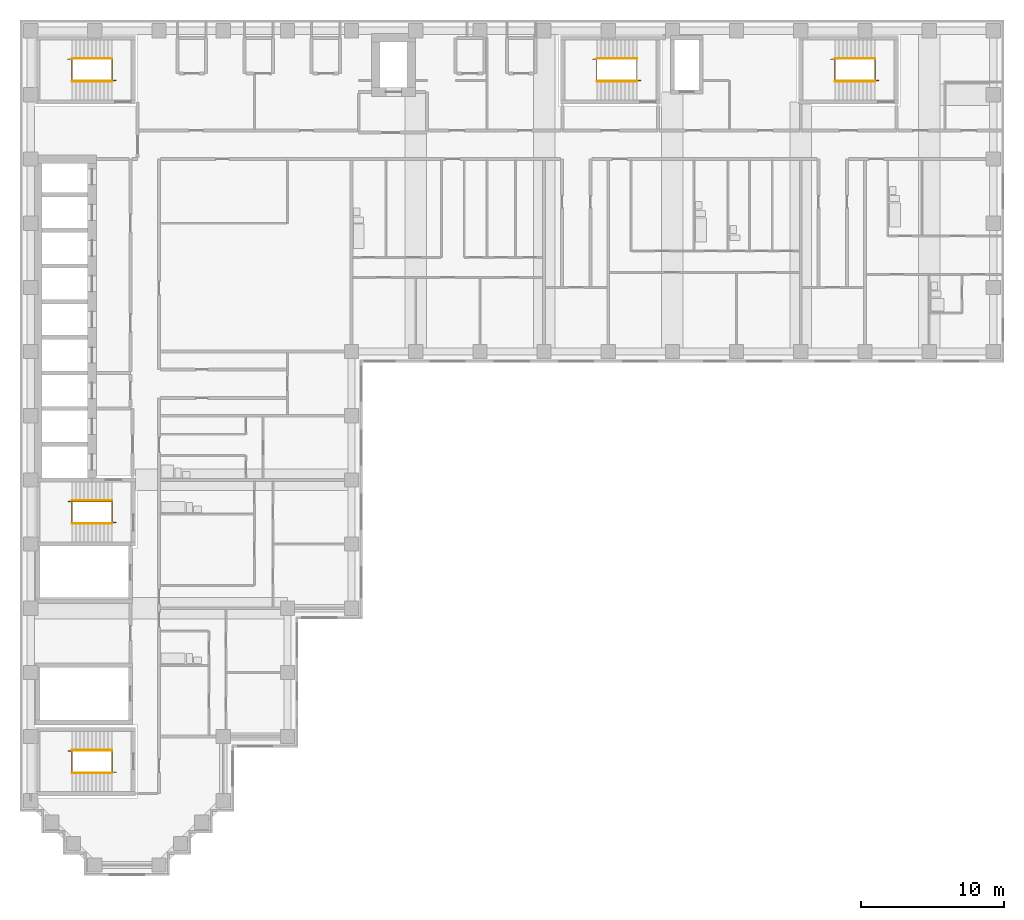
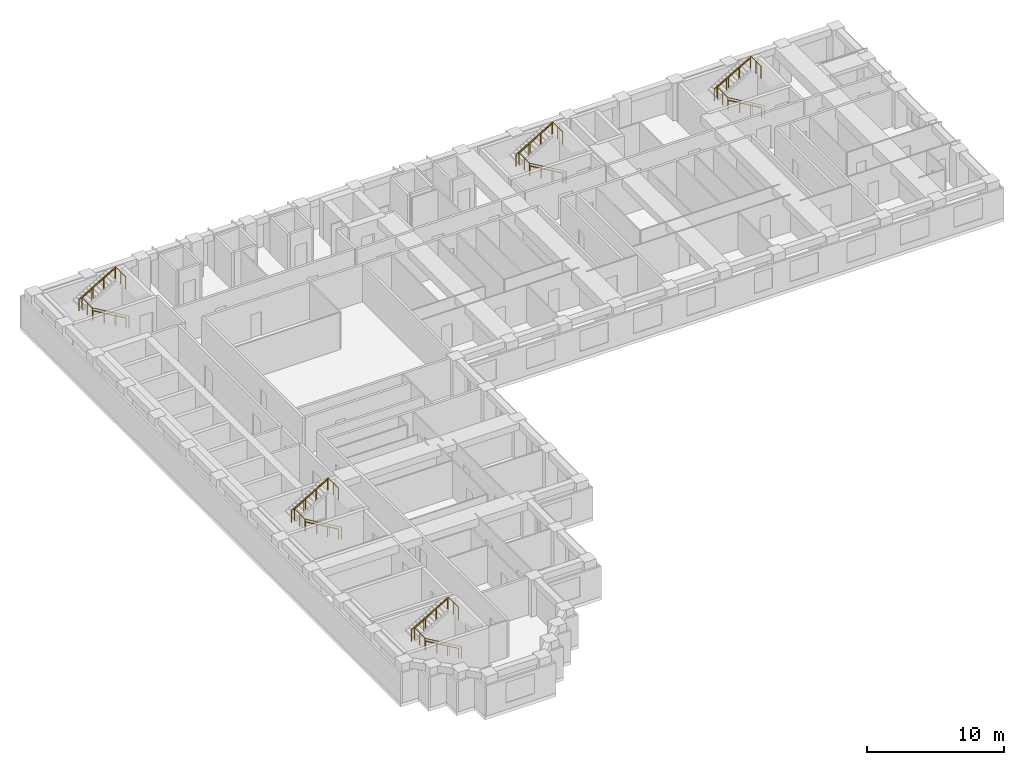
# One storey, part 10 of 11: 15 railings.
"""IFC4 building model written with IfcOpenShell, lengths in metres."""

from ifc_helpers import new_model, si_unit, direction, frame, origin, origin_2d, place, context, subcontext, project, spatial, circle, extrude, material, type_object, element, save


model = new_model("IFC4")

# Units and contexts
model_context = context("Model", 3, precision=1e-05, world=origin(), true_north=direction((0.0, 1.0)))
body_context = subcontext(model_context, "Body", "Model", "MODEL_VIEW")
ifc_project = project(units=[si_unit("LENGTHUNIT", "METRE"), si_unit("AREAUNIT", "SQUARE_METRE"), si_unit("VOLUMEUNIT", "CUBIC_METRE"), si_unit("PLANEANGLEUNIT", "RADIAN"), si_unit("MASSUNIT", "GRAM", prefix="KILO")], contexts=[model_context])

# Site, building, storey
site_placement = place(None, origin())
site = spatial("IfcSite", under=ifc_project, at=site_placement, CompositionType="ELEMENT")
building_placement = place(site_placement, origin())
building = spatial("IfcBuilding", under=site, at=building_placement, Name="Firuza Court", CompositionType="ELEMENT")
storey_placement = place(building_placement, frame((0.0, 0.0, 134.0)))
storey = spatial("IfcBuildingStorey", under=building, at=storey_placement, Name="L33", CompositionType="ELEMENT", Elevation=134.0)

# Railings
ifc_material_1 = material(Name="Steel S355", Category="steel")
railing_type_1 = type_object("IfcRailingType", Name="Handrail 900", PredefinedType="HANDRAIL", material=ifc_material_1)
railing_1_placement = place(storey_placement, frame((42.5, 54.949951171875, 0.16357421875)))
element("IfcRailing", 1, at=railing_1_placement, inside=storey, type_object=railing_type_1, Name="Handrail S1 flight 1", PredefinedType="HANDRAIL", context=body_context, shape_type="SweptSolid", body=[
    extrude(circle(Radius=0.02490234375, at=origin_2d()), frame((0.0, 0.0, 0.875), z_axis=(-0.863360870873, 0.0, 0.504586966384), x_axis=(0.0, -1.0, 0.0)), (0.0, 0.0, 1.0), 3.2431640625),
    extrude(circle(Radius=0.02001953125, at=origin_2d()), origin(), (0.0, 0.0, 1.0), 0.849853515625),
    extrude(circle(Radius=0.02001953125, at=origin_2d()), frame((-0.933349609375, 0.0, 0.54541015625)), (0.0, 0.0, 1.0), 0.849853515625),
    extrude(circle(Radius=0.02001953125, at=origin_2d()), frame((-1.86669921875, 0.0, 1.091064453125)), (0.0, 0.0, 1.0), 0.849853515625),
    extrude(circle(Radius=0.02001953125, at=origin_2d()), frame((-2.800048828125, 0.0, 1.636474609375)), (0.0, 0.0, 1.0), 0.849853515625),
])
railing_2_placement = place(storey_placement, frame((39.699951171875, 56.550048828125, 1.963623046875)))
element("IfcRailing", 2, at=railing_2_placement, inside=storey, type_object=railing_type_1, Name="Handrail S1 flight 2", PredefinedType="HANDRAIL", context=body_context, shape_type="SweptSolid", body=[
    extrude(circle(Radius=0.02490234375, at=origin_2d()), frame((0.0, 0.0, 0.875), z_axis=(0.863360870873, 0.0, 0.504586966384), x_axis=(0.0, 1.0, 0.0)), (0.0, 0.0, 1.0), 3.2431640625),
    extrude(circle(Radius=0.02001953125, at=origin_2d()), origin(), (0.0, 0.0, 1.0), 0.849853515625),
    extrude(circle(Radius=0.02001953125, at=origin_2d()), frame((0.933349609375, 0.0, 0.54541015625)), (0.0, 0.0, 1.0), 0.849853515625),
    extrude(circle(Radius=0.02001953125, at=origin_2d()), frame((1.86669921875, 0.0, 1.091064453125)), (0.0, 0.0, 1.0), 0.849853515625),
    extrude(circle(Radius=0.02001953125, at=origin_2d()), frame((2.800048828125, 0.0, 1.636474609375)), (0.0, 0.0, 1.0), 0.849853515625),
])
railing_3_placement = place(storey_placement, frame((5.699951171875, 23.949951171875, 0.16357421875)))
element("IfcRailing", 3, at=railing_3_placement, inside=storey, type_object=railing_type_1, Name="Handrail S2 flight 1", PredefinedType="HANDRAIL", context=body_context, shape_type="SweptSolid", body=[
    extrude(circle(Radius=0.02490234375, at=origin_2d()), frame((0.0, 0.0, 0.875), z_axis=(-0.863360870873, 0.0, 0.504586966384), x_axis=(0.0, -1.0, 0.0)), (0.0, 0.0, 1.0), 3.2431640625),
    extrude(circle(Radius=0.02001953125, at=origin_2d()), origin(), (0.0, 0.0, 1.0), 0.849853515625),
    extrude(circle(Radius=0.02001953125, at=origin_2d()), frame((-0.933349609375, 0.0, 0.54541015625)), (0.0, 0.0, 1.0), 0.849853515625),
    extrude(circle(Radius=0.02001953125, at=origin_2d()), frame((-1.86669921875, 0.0, 1.091064453125)), (0.0, 0.0, 1.0), 0.849853515625),
    extrude(circle(Radius=0.02001953125, at=origin_2d()), frame((-2.800048828125, 0.0, 1.636474609375)), (0.0, 0.0, 1.0), 0.849853515625),
])
railing_4_placement = place(storey_placement, frame((2.89990234375, 25.550048828125, 1.963623046875)))
element("IfcRailing", 4, at=railing_4_placement, inside=storey, type_object=railing_type_1, Name="Handrail S2 flight 2", PredefinedType="HANDRAIL", context=body_context, shape_type="SweptSolid", body=[
    extrude(circle(Radius=0.02490234375, at=origin_2d()), frame((0.0, 0.0, 0.875), z_axis=(0.863360870873, 0.0, 0.504586966384), x_axis=(0.0, 1.0, 0.0)), (0.0, 0.0, 1.0), 3.2431640625),
    extrude(circle(Radius=0.02001953125, at=origin_2d()), origin(), (0.0, 0.0, 1.0), 0.849853515625),
    extrude(circle(Radius=0.02001953125, at=origin_2d()), frame((0.933349609375, 0.0, 0.54541015625)), (0.0, 0.0, 1.0), 0.849853515625),
    extrude(circle(Radius=0.02001953125, at=origin_2d()), frame((1.86669921875, 0.0, 1.091064453125)), (0.0, 0.0, 1.0), 0.849853515625),
    extrude(circle(Radius=0.02001953125, at=origin_2d()), frame((2.800048828125, 0.0, 1.636474609375)), (0.0, 0.0, 1.0), 0.849853515625),
])
railing_5_placement = place(storey_placement, frame((5.699951171875, 54.949951171875, 0.16357421875)))
element("IfcRailing", 5, at=railing_5_placement, inside=storey, type_object=railing_type_1, Name="Handrail S3 flight 1", PredefinedType="HANDRAIL", context=body_context, shape_type="SweptSolid", body=[
    extrude(circle(Radius=0.02490234375, at=origin_2d()), frame((0.0, 0.0, 0.875), z_axis=(-0.863360870873, 0.0, 0.504586966384), x_axis=(0.0, -1.0, 0.0)), (0.0, 0.0, 1.0), 3.2431640625),
    extrude(circle(Radius=0.02001953125, at=origin_2d()), origin(), (0.0, 0.0, 1.0), 0.849853515625),
    extrude(circle(Radius=0.02001953125, at=origin_2d()), frame((-0.933349609375, 0.0, 0.54541015625)), (0.0, 0.0, 1.0), 0.849853515625),
    extrude(circle(Radius=0.02001953125, at=origin_2d()), frame((-1.86669921875, 0.0, 1.091064453125)), (0.0, 0.0, 1.0), 0.849853515625),
    extrude(circle(Radius=0.02001953125, at=origin_2d()), frame((-2.800048828125, 0.0, 1.636474609375)), (0.0, 0.0, 1.0), 0.849853515625),
])
railing_6_placement = place(storey_placement, frame((2.89990234375, 56.550048828125, 1.963623046875)))
element("IfcRailing", 6, at=railing_6_placement, inside=storey, type_object=railing_type_1, Name="Handrail S3 flight 2", PredefinedType="HANDRAIL", context=body_context, shape_type="SweptSolid", body=[
    extrude(circle(Radius=0.02490234375, at=origin_2d()), frame((0.0, 0.0, 0.875), z_axis=(0.863360870873, 0.0, 0.504586966384), x_axis=(0.0, 1.0, 0.0)), (0.0, 0.0, 1.0), 3.2431640625),
    extrude(circle(Radius=0.02001953125, at=origin_2d()), origin(), (0.0, 0.0, 1.0), 0.849853515625),
    extrude(circle(Radius=0.02001953125, at=origin_2d()), frame((0.933349609375, 0.0, 0.54541015625)), (0.0, 0.0, 1.0), 0.849853515625),
    extrude(circle(Radius=0.02001953125, at=origin_2d()), frame((1.86669921875, 0.0, 1.091064453125)), (0.0, 0.0, 1.0), 0.849853515625),
    extrude(circle(Radius=0.02001953125, at=origin_2d()), frame((2.800048828125, 0.0, 1.636474609375)), (0.0, 0.0, 1.0), 0.849853515625),
])
railing_7_placement = place(storey_placement, frame((59.199951171875, 54.949951171875, 0.16357421875)))
element("IfcRailing", 7, at=railing_7_placement, inside=storey, type_object=railing_type_1, Name="Handrail S4 flight 1", PredefinedType="HANDRAIL", context=body_context, shape_type="SweptSolid", body=[
    extrude(circle(Radius=0.02490234375, at=origin_2d()), frame((0.0, 0.0, 0.875), z_axis=(-0.863360870873, 0.0, 0.504586966384), x_axis=(0.0, -1.0, 0.0)), (0.0, 0.0, 1.0), 3.2431640625),
    extrude(circle(Radius=0.02001953125, at=origin_2d()), origin(), (0.0, 0.0, 1.0), 0.849853515625),
    extrude(circle(Radius=0.02001953125, at=origin_2d()), frame((-0.933349609375, 0.0, 0.54541015625)), (0.0, 0.0, 1.0), 0.849853515625),
    extrude(circle(Radius=0.02001953125, at=origin_2d()), frame((-1.86669921875, 0.0, 1.091064453125)), (0.0, 0.0, 1.0), 0.849853515625),
    extrude(circle(Radius=0.02001953125, at=origin_2d()), frame((-2.800048828125, 0.0, 1.636474609375)), (0.0, 0.0, 1.0), 0.849853515625),
])
railing_8_placement = place(storey_placement, frame((56.39990234375, 56.550048828125, 1.963623046875)))
element("IfcRailing", 8, at=railing_8_placement, inside=storey, type_object=railing_type_1, Name="Handrail S4 flight 2", PredefinedType="HANDRAIL", context=body_context, shape_type="SweptSolid", body=[
    extrude(circle(Radius=0.02490234375, at=origin_2d()), frame((0.0, 0.0, 0.875), z_axis=(0.863360870873, 0.0, 0.504586966384), x_axis=(0.0, 1.0, 0.0)), (0.0, 0.0, 1.0), 3.2431640625),
    extrude(circle(Radius=0.02001953125, at=origin_2d()), origin(), (0.0, 0.0, 1.0), 0.849853515625),
    extrude(circle(Radius=0.02001953125, at=origin_2d()), frame((0.933349609375, 0.0, 0.54541015625)), (0.0, 0.0, 1.0), 0.849853515625),
    extrude(circle(Radius=0.02001953125, at=origin_2d()), frame((1.86669921875, 0.0, 1.091064453125)), (0.0, 0.0, 1.0), 0.849853515625),
    extrude(circle(Radius=0.02001953125, at=origin_2d()), frame((2.800048828125, 0.0, 1.636474609375)), (0.0, 0.0, 1.0), 0.849853515625),
])
railing_9_placement = place(storey_placement, frame((5.699951171875, 6.449951171875, 0.16357421875)))
element("IfcRailing", 9, at=railing_9_placement, inside=storey, type_object=railing_type_1, Name="Handrail S5 flight 1", PredefinedType="HANDRAIL", context=body_context, shape_type="SweptSolid", body=[
    extrude(circle(Radius=0.02490234375, at=origin_2d()), frame((0.0, 0.0, 0.875), z_axis=(-0.863360870873, 0.0, 0.504586966384), x_axis=(0.0, -1.0, 0.0)), (0.0, 0.0, 1.0), 3.2431640625),
    extrude(circle(Radius=0.02001953125, at=origin_2d()), origin(), (0.0, 0.0, 1.0), 0.849853515625),
    extrude(circle(Radius=0.02001953125, at=origin_2d()), frame((-0.933349609375, 0.0, 0.54541015625)), (0.0, 0.0, 1.0), 0.849853515625),
    extrude(circle(Radius=0.02001953125, at=origin_2d()), frame((-1.86669921875, 0.0, 1.091064453125)), (0.0, 0.0, 1.0), 0.849853515625),
    extrude(circle(Radius=0.02001953125, at=origin_2d()), frame((-2.800048828125, 0.0, 1.636474609375)), (0.0, 0.0, 1.0), 0.849853515625),
])
railing_10_placement = place(storey_placement, frame((2.89990234375, 8.050048828125, 1.963623046875)))
element("IfcRailing", 10, at=railing_10_placement, inside=storey, type_object=railing_type_1, Name="Handrail S5 flight 2", PredefinedType="HANDRAIL", context=body_context, shape_type="SweptSolid", body=[
    extrude(circle(Radius=0.02490234375, at=origin_2d()), frame((0.0, 0.0, 0.875), z_axis=(0.863360870873, 0.0, 0.504586966384), x_axis=(0.0, 1.0, 0.0)), (0.0, 0.0, 1.0), 3.2431640625),
    extrude(circle(Radius=0.02001953125, at=origin_2d()), origin(), (0.0, 0.0, 1.0), 0.849853515625),
    extrude(circle(Radius=0.02001953125, at=origin_2d()), frame((0.933349609375, 0.0, 0.54541015625)), (0.0, 0.0, 1.0), 0.849853515625),
    extrude(circle(Radius=0.02001953125, at=origin_2d()), frame((1.86669921875, 0.0, 1.091064453125)), (0.0, 0.0, 1.0), 0.849853515625),
    extrude(circle(Radius=0.02001953125, at=origin_2d()), frame((2.800048828125, 0.0, 1.636474609375)), (0.0, 0.0, 1.0), 0.849853515625),
])
ifc_material_2 = material(Name="Steel S355", Category="steel")
railing_type_2 = type_object("IfcRailingType", Name="Stair guard 1100", PredefinedType="GUARDRAIL", material=ifc_material_2)
railing_11_placement = place(storey_placement, frame((42.780029296875, 55.010009765625, 0.0)))
element("IfcRailing", 11, at=railing_11_placement, inside=storey, type_object=railing_type_2, Name="Stair well guard S1", PredefinedType="GUARDRAIL", context=body_context, shape_type="SweptSolid", body=[
    extrude(circle(Radius=0.02490234375, at=origin_2d()), frame((0.0, 0.0, 1.0751953125), z_axis=(-0.863371556955, 0.0, 0.504568681787), x_axis=(0.0, -1.0, 0.0)), (0.0, 0.0, 1.0), 3.5673828125),
    extrude(circle(Radius=0.02490234375, at=origin_2d()), frame((-3.080078125, 0.0, 2.875), z_axis=(0.0, 1.0, 0.0), x_axis=(-1.0, 0.0, 0.0)), (0.0, 0.0, 1.0), 1.47998046875),
    extrude(circle(Radius=0.02490234375, at=origin_2d()), frame((-3.080078125, 1.47998046875, 2.875), z_axis=(-1.0, 0.0, 0.0), x_axis=(0.0, -1.0, 0.0)), (0.0, 0.0, 1.0), 0.280029296875),
    extrude(circle(Radius=0.02490234375, at=origin_2d()), frame((-3.360107421875, 1.47998046875, 2.875), z_axis=(0.863371556955, 0.0, 0.504568681787), x_axis=(0.0, 1.0, 0.0)), (0.0, 0.0, 1.0), 3.5673828125),
    extrude(circle(Radius=0.02490234375, at=origin_2d()), frame((-0.280029296875, 1.47998046875, 4.67529296875), z_axis=(0.0, -1.0, 0.0), x_axis=(1.0, 0.0, 0.0)), (0.0, 0.0, 1.0), 1.47998046875),
    extrude(circle(Radius=0.02490234375, at=origin_2d()), origin(), (0.0, 0.0, 1.0), 1.050048828125),
    extrude(circle(Radius=0.02490234375, at=origin_2d()), frame((-1.026611328125, 0.0, 0.60009765625)), (0.0, 0.0, 1.0), 1.050048828125),
    extrude(circle(Radius=0.02490234375, at=origin_2d()), frame((-2.053466796875, 0.0, 1.199951171875)), (0.0, 0.0, 1.0), 1.050048828125),
    extrude(circle(Radius=0.02490234375, at=origin_2d()), frame((-3.080078125, 0.0, 1.800048828125)), (0.0, 0.0, 1.0), 1.050048828125),
    extrude(circle(Radius=0.02490234375, at=origin_2d()), frame((-3.080078125, 0.739990234375, 1.800048828125)), (0.0, 0.0, 1.0), 1.050048828125),
    extrude(circle(Radius=0.02490234375, at=origin_2d()), frame((-3.080078125, 1.47998046875, 1.800048828125)), (0.0, 0.0, 1.0), 1.050048828125),
    extrude(circle(Radius=0.02490234375, at=origin_2d()), frame((-3.360107421875, 1.47998046875, 1.800048828125)), (0.0, 0.0, 1.0), 1.050048828125),
    extrude(circle(Radius=0.02490234375, at=origin_2d()), frame((-2.33349609375, 1.47998046875, 2.400146484375)), (0.0, 0.0, 1.0), 1.050048828125),
    extrude(circle(Radius=0.02490234375, at=origin_2d()), frame((-1.306640625, 1.47998046875, 3.0)), (0.0, 0.0, 1.0), 1.050048828125),
    extrude(circle(Radius=0.02490234375, at=origin_2d()), frame((-0.280029296875, 1.47998046875, 3.60009765625)), (0.0, 0.0, 1.0), 1.050048828125),
    extrude(circle(Radius=0.02490234375, at=origin_2d()), frame((-0.280029296875, 0.739990234375, 3.60009765625)), (0.0, 0.0, 1.0), 1.050048828125),
    extrude(circle(Radius=0.02490234375, at=origin_2d()), frame((-0.280029296875, 0.0, 3.60009765625)), (0.0, 0.0, 1.0), 1.050048828125),
])
railing_12_placement = place(storey_placement, frame((5.97998046875, 24.010009765625, 0.0)))
element("IfcRailing", 12, at=railing_12_placement, inside=storey, type_object=railing_type_2, Name="Stair well guard S2", PredefinedType="GUARDRAIL", context=body_context, shape_type="SweptSolid", body=[
    extrude(circle(Radius=0.02490234375, at=origin_2d()), frame((0.0, 0.0, 1.0751953125), z_axis=(-0.863371556955, 0.0, 0.504568681787), x_axis=(0.0, -1.0, 0.0)), (0.0, 0.0, 1.0), 3.5673828125),
    extrude(circle(Radius=0.02490234375, at=origin_2d()), frame((-3.080078125, 0.0, 2.875), z_axis=(0.0, 1.0, 0.0), x_axis=(-1.0, 0.0, 0.0)), (0.0, 0.0, 1.0), 1.47998046875),
    extrude(circle(Radius=0.02490234375, at=origin_2d()), frame((-3.080078125, 1.47998046875, 2.875), z_axis=(-1.0, 0.0, 0.0), x_axis=(0.0, -1.0, 0.0)), (0.0, 0.0, 1.0), 0.27978515625),
    extrude(circle(Radius=0.02490234375, at=origin_2d()), frame((-3.35986328125, 1.47998046875, 2.875), z_axis=(0.863354132664, 0.0, 0.504598495452), x_axis=(0.0, 1.0, 0.0)), (0.0, 0.0, 1.0), 3.5673828125),
    extrude(circle(Radius=0.02490234375, at=origin_2d()), frame((-0.280029296875, 1.47998046875, 4.67529296875), z_axis=(0.0, -1.0, 0.0), x_axis=(1.0, 0.0, 0.0)), (0.0, 0.0, 1.0), 1.47998046875),
    extrude(circle(Radius=0.02490234375, at=origin_2d()), origin(), (0.0, 0.0, 1.0), 1.050048828125),
    extrude(circle(Radius=0.02490234375, at=origin_2d()), frame((-1.026611328125, 0.0, 0.60009765625)), (0.0, 0.0, 1.0), 1.050048828125),
    extrude(circle(Radius=0.02490234375, at=origin_2d()), frame((-2.053466796875, 0.0, 1.199951171875)), (0.0, 0.0, 1.0), 1.050048828125),
    extrude(circle(Radius=0.02490234375, at=origin_2d()), frame((-3.080078125, 0.0, 1.800048828125)), (0.0, 0.0, 1.0), 1.050048828125),
    extrude(circle(Radius=0.02490234375, at=origin_2d()), frame((-3.080078125, 0.739990234375, 1.800048828125)), (0.0, 0.0, 1.0), 1.050048828125),
    extrude(circle(Radius=0.02490234375, at=origin_2d()), frame((-3.080078125, 1.47998046875, 1.800048828125)), (0.0, 0.0, 1.0), 1.050048828125),
    extrude(circle(Radius=0.02490234375, at=origin_2d()), frame((-3.35986328125, 1.47998046875, 1.800048828125)), (0.0, 0.0, 1.0), 1.050048828125),
    extrude(circle(Radius=0.02490234375, at=origin_2d()), frame((-2.333251953125, 1.47998046875, 2.400146484375)), (0.0, 0.0, 1.0), 1.050048828125),
    extrude(circle(Radius=0.02490234375, at=origin_2d()), frame((-1.306640625, 1.47998046875, 3.0)), (0.0, 0.0, 1.0), 1.050048828125),
    extrude(circle(Radius=0.02490234375, at=origin_2d()), frame((-0.280029296875, 1.47998046875, 3.60009765625)), (0.0, 0.0, 1.0), 1.050048828125),
    extrude(circle(Radius=0.02490234375, at=origin_2d()), frame((-0.280029296875, 0.739990234375, 3.60009765625)), (0.0, 0.0, 1.0), 1.050048828125),
    extrude(circle(Radius=0.02490234375, at=origin_2d()), frame((-0.280029296875, 0.0, 3.60009765625)), (0.0, 0.0, 1.0), 1.050048828125),
])
railing_13_placement = place(storey_placement, frame((5.97998046875, 55.010009765625, 0.0)))
element("IfcRailing", 13, at=railing_13_placement, inside=storey, type_object=railing_type_2, Name="Stair well guard S3", PredefinedType="GUARDRAIL", context=body_context, shape_type="SweptSolid", body=[
    extrude(circle(Radius=0.02490234375, at=origin_2d()), frame((0.0, 0.0, 1.0751953125), z_axis=(-0.863371556955, 0.0, 0.504568681787), x_axis=(0.0, -1.0, 0.0)), (0.0, 0.0, 1.0), 3.5673828125),
    extrude(circle(Radius=0.02490234375, at=origin_2d()), frame((-3.080078125, 0.0, 2.875), z_axis=(0.0, 1.0, 0.0), x_axis=(-1.0, 0.0, 0.0)), (0.0, 0.0, 1.0), 1.47998046875),
    extrude(circle(Radius=0.02490234375, at=origin_2d()), frame((-3.080078125, 1.47998046875, 2.875), z_axis=(-1.0, 0.0, 0.0), x_axis=(0.0, -1.0, 0.0)), (0.0, 0.0, 1.0), 0.27978515625),
    extrude(circle(Radius=0.02490234375, at=origin_2d()), frame((-3.35986328125, 1.47998046875, 2.875), z_axis=(0.863354132664, 0.0, 0.504598495452), x_axis=(0.0, 1.0, 0.0)), (0.0, 0.0, 1.0), 3.5673828125),
    extrude(circle(Radius=0.02490234375, at=origin_2d()), frame((-0.280029296875, 1.47998046875, 4.67529296875), z_axis=(0.0, -1.0, 0.0), x_axis=(1.0, 0.0, 0.0)), (0.0, 0.0, 1.0), 1.47998046875),
    extrude(circle(Radius=0.02490234375, at=origin_2d()), origin(), (0.0, 0.0, 1.0), 1.050048828125),
    extrude(circle(Radius=0.02490234375, at=origin_2d()), frame((-1.026611328125, 0.0, 0.60009765625)), (0.0, 0.0, 1.0), 1.050048828125),
    extrude(circle(Radius=0.02490234375, at=origin_2d()), frame((-2.053466796875, 0.0, 1.199951171875)), (0.0, 0.0, 1.0), 1.050048828125),
    extrude(circle(Radius=0.02490234375, at=origin_2d()), frame((-3.080078125, 0.0, 1.800048828125)), (0.0, 0.0, 1.0), 1.050048828125),
    extrude(circle(Radius=0.02490234375, at=origin_2d()), frame((-3.080078125, 0.739990234375, 1.800048828125)), (0.0, 0.0, 1.0), 1.050048828125),
    extrude(circle(Radius=0.02490234375, at=origin_2d()), frame((-3.080078125, 1.47998046875, 1.800048828125)), (0.0, 0.0, 1.0), 1.050048828125),
    extrude(circle(Radius=0.02490234375, at=origin_2d()), frame((-3.35986328125, 1.47998046875, 1.800048828125)), (0.0, 0.0, 1.0), 1.050048828125),
    extrude(circle(Radius=0.02490234375, at=origin_2d()), frame((-2.333251953125, 1.47998046875, 2.400146484375)), (0.0, 0.0, 1.0), 1.050048828125),
    extrude(circle(Radius=0.02490234375, at=origin_2d()), frame((-1.306640625, 1.47998046875, 3.0)), (0.0, 0.0, 1.0), 1.050048828125),
    extrude(circle(Radius=0.02490234375, at=origin_2d()), frame((-0.280029296875, 1.47998046875, 3.60009765625)), (0.0, 0.0, 1.0), 1.050048828125),
    extrude(circle(Radius=0.02490234375, at=origin_2d()), frame((-0.280029296875, 0.739990234375, 3.60009765625)), (0.0, 0.0, 1.0), 1.050048828125),
    extrude(circle(Radius=0.02490234375, at=origin_2d()), frame((-0.280029296875, 0.0, 3.60009765625)), (0.0, 0.0, 1.0), 1.050048828125),
])
railing_14_placement = place(storey_placement, frame((59.47998046875, 55.010009765625, 0.0)))
element("IfcRailing", 14, at=railing_14_placement, inside=storey, type_object=railing_type_2, Name="Stair well guard S4", PredefinedType="GUARDRAIL", context=body_context, shape_type="SweptSolid", body=[
    extrude(circle(Radius=0.02490234375, at=origin_2d()), frame((0.0, 0.0, 1.0751953125), z_axis=(-0.863371556955, 0.0, 0.504568681787), x_axis=(0.0, -1.0, 0.0)), (0.0, 0.0, 1.0), 3.5673828125),
    extrude(circle(Radius=0.02490234375, at=origin_2d()), frame((-3.080078125, 0.0, 2.875), z_axis=(0.0, 1.0, 0.0), x_axis=(-1.0, 0.0, 0.0)), (0.0, 0.0, 1.0), 1.47998046875),
    extrude(circle(Radius=0.02490234375, at=origin_2d()), frame((-3.080078125, 1.47998046875, 2.875), z_axis=(-1.0, 0.0, 0.0), x_axis=(0.0, -1.0, 0.0)), (0.0, 0.0, 1.0), 0.27978515625),
    extrude(circle(Radius=0.02490234375, at=origin_2d()), frame((-3.35986328125, 1.47998046875, 2.875), z_axis=(0.863354132664, 0.0, 0.504598495452), x_axis=(0.0, 1.0, 0.0)), (0.0, 0.0, 1.0), 3.5673828125),
    extrude(circle(Radius=0.02490234375, at=origin_2d()), frame((-0.280029296875, 1.47998046875, 4.67529296875), z_axis=(0.0, -1.0, 0.0), x_axis=(1.0, 0.0, 0.0)), (0.0, 0.0, 1.0), 1.47998046875),
    extrude(circle(Radius=0.02490234375, at=origin_2d()), origin(), (0.0, 0.0, 1.0), 1.050048828125),
    extrude(circle(Radius=0.02490234375, at=origin_2d()), frame((-1.026611328125, 0.0, 0.60009765625)), (0.0, 0.0, 1.0), 1.050048828125),
    extrude(circle(Radius=0.02490234375, at=origin_2d()), frame((-2.053466796875, 0.0, 1.199951171875)), (0.0, 0.0, 1.0), 1.050048828125),
    extrude(circle(Radius=0.02490234375, at=origin_2d()), frame((-3.080078125, 0.0, 1.800048828125)), (0.0, 0.0, 1.0), 1.050048828125),
    extrude(circle(Radius=0.02490234375, at=origin_2d()), frame((-3.080078125, 0.739990234375, 1.800048828125)), (0.0, 0.0, 1.0), 1.050048828125),
    extrude(circle(Radius=0.02490234375, at=origin_2d()), frame((-3.080078125, 1.47998046875, 1.800048828125)), (0.0, 0.0, 1.0), 1.050048828125),
    extrude(circle(Radius=0.02490234375, at=origin_2d()), frame((-3.35986328125, 1.47998046875, 1.800048828125)), (0.0, 0.0, 1.0), 1.050048828125),
    extrude(circle(Radius=0.02490234375, at=origin_2d()), frame((-2.333251953125, 1.47998046875, 2.400146484375)), (0.0, 0.0, 1.0), 1.050048828125),
    extrude(circle(Radius=0.02490234375, at=origin_2d()), frame((-1.306640625, 1.47998046875, 3.0)), (0.0, 0.0, 1.0), 1.050048828125),
    extrude(circle(Radius=0.02490234375, at=origin_2d()), frame((-0.280029296875, 1.47998046875, 3.60009765625)), (0.0, 0.0, 1.0), 1.050048828125),
    extrude(circle(Radius=0.02490234375, at=origin_2d()), frame((-0.280029296875, 0.739990234375, 3.60009765625)), (0.0, 0.0, 1.0), 1.050048828125),
    extrude(circle(Radius=0.02490234375, at=origin_2d()), frame((-0.280029296875, 0.0, 3.60009765625)), (0.0, 0.0, 1.0), 1.050048828125),
])
railing_15_placement = place(storey_placement, frame((5.97998046875, 6.510009765625, 0.0)))
element("IfcRailing", 15, at=railing_15_placement, inside=storey, type_object=railing_type_2, Name="Stair well guard S5", PredefinedType="GUARDRAIL", context=body_context, shape_type="SweptSolid", body=[
    extrude(circle(Radius=0.02490234375, at=origin_2d()), frame((0.0, 0.0, 1.0751953125), z_axis=(-0.863371556955, 0.0, 0.504568681787), x_axis=(0.0, -1.0, 0.0)), (0.0, 0.0, 1.0), 3.5673828125),
    extrude(circle(Radius=0.02490234375, at=origin_2d()), frame((-3.080078125, 0.0, 2.875), z_axis=(0.0, 1.0, 0.0), x_axis=(-1.0, 0.0, 0.0)), (0.0, 0.0, 1.0), 1.47998046875),
    extrude(circle(Radius=0.02490234375, at=origin_2d()), frame((-3.080078125, 1.47998046875, 2.875), z_axis=(-1.0, 0.0, 0.0), x_axis=(0.0, -1.0, 0.0)), (0.0, 0.0, 1.0), 0.27978515625),
    extrude(circle(Radius=0.02490234375, at=origin_2d()), frame((-3.35986328125, 1.47998046875, 2.875), z_axis=(0.863354132664, 0.0, 0.504598495452), x_axis=(0.0, 1.0, 0.0)), (0.0, 0.0, 1.0), 3.5673828125),
    extrude(circle(Radius=0.02490234375, at=origin_2d()), frame((-0.280029296875, 1.47998046875, 4.67529296875), z_axis=(0.0, -1.0, 0.0), x_axis=(1.0, 0.0, 0.0)), (0.0, 0.0, 1.0), 1.47998046875),
    extrude(circle(Radius=0.02490234375, at=origin_2d()), origin(), (0.0, 0.0, 1.0), 1.050048828125),
    extrude(circle(Radius=0.02490234375, at=origin_2d()), frame((-1.026611328125, 0.0, 0.60009765625)), (0.0, 0.0, 1.0), 1.050048828125),
    extrude(circle(Radius=0.02490234375, at=origin_2d()), frame((-2.053466796875, 0.0, 1.199951171875)), (0.0, 0.0, 1.0), 1.050048828125),
    extrude(circle(Radius=0.02490234375, at=origin_2d()), frame((-3.080078125, 0.0, 1.800048828125)), (0.0, 0.0, 1.0), 1.050048828125),
    extrude(circle(Radius=0.02490234375, at=origin_2d()), frame((-3.080078125, 0.739990234375, 1.800048828125)), (0.0, 0.0, 1.0), 1.050048828125),
    extrude(circle(Radius=0.02490234375, at=origin_2d()), frame((-3.080078125, 1.47998046875, 1.800048828125)), (0.0, 0.0, 1.0), 1.050048828125),
    extrude(circle(Radius=0.02490234375, at=origin_2d()), frame((-3.35986328125, 1.47998046875, 1.800048828125)), (0.0, 0.0, 1.0), 1.050048828125),
    extrude(circle(Radius=0.02490234375, at=origin_2d()), frame((-2.333251953125, 1.47998046875, 2.400146484375)), (0.0, 0.0, 1.0), 1.050048828125),
    extrude(circle(Radius=0.02490234375, at=origin_2d()), frame((-1.306640625, 1.47998046875, 3.0)), (0.0, 0.0, 1.0), 1.050048828125),
    extrude(circle(Radius=0.02490234375, at=origin_2d()), frame((-0.280029296875, 1.47998046875, 3.60009765625)), (0.0, 0.0, 1.0), 1.050048828125),
    extrude(circle(Radius=0.02490234375, at=origin_2d()), frame((-0.280029296875, 0.739990234375, 3.60009765625)), (0.0, 0.0, 1.0), 1.050048828125),
    extrude(circle(Radius=0.02490234375, at=origin_2d()), frame((-0.280029296875, 0.0, 3.60009765625)), (0.0, 0.0, 1.0), 1.050048828125),
])

save(model, "model.ifc")
